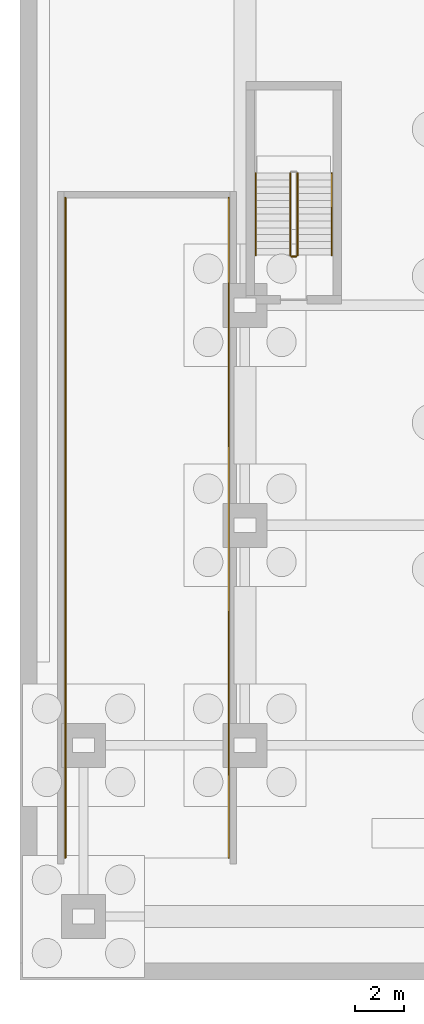
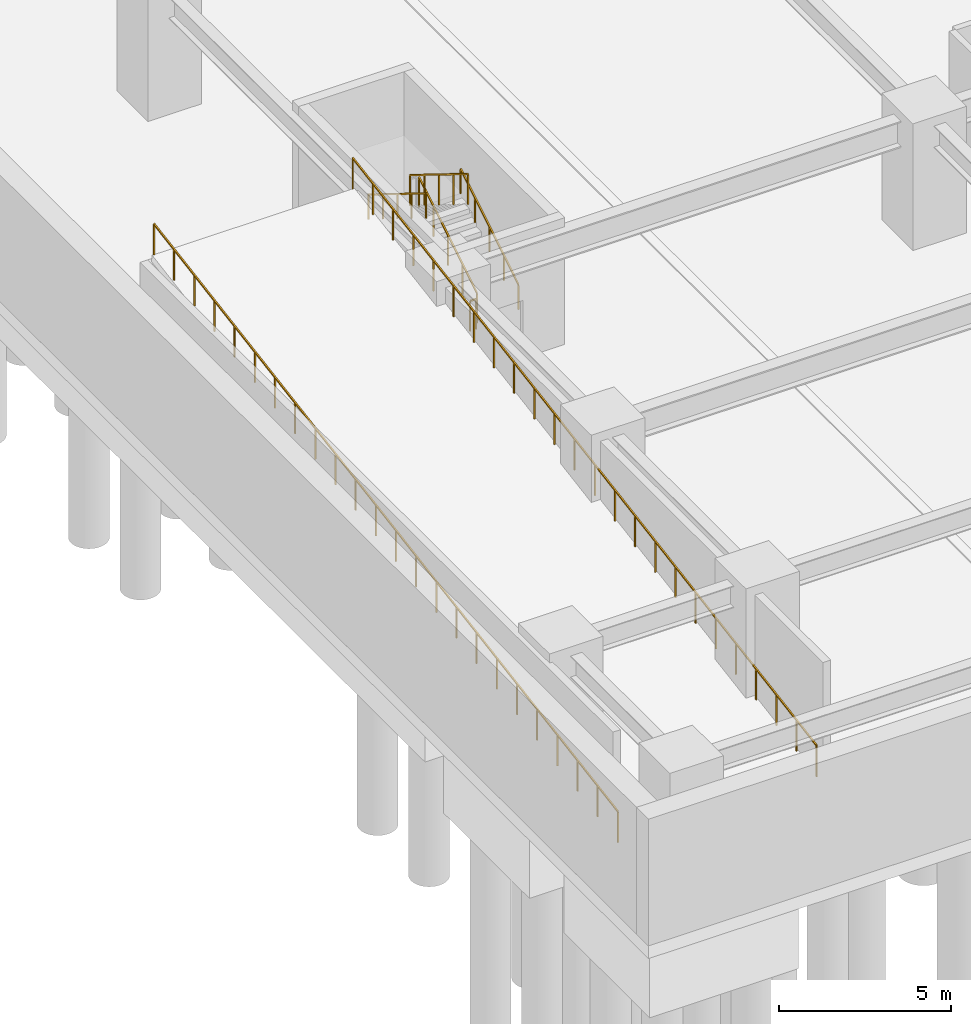
# One storey, part 15 of 23: 7 railings.
"""IFC4 building model written with IfcOpenShell, lengths in metres."""

from ifc_helpers import new_model, si_unit, direction, frame, origin, origin_2d, place, context, subcontext, project, spatial, rectangle, extrude, material, type_object, element, save


model = new_model("IFC4")

# Units and contexts
model_context = context("Model", 3, precision=1e-05, world=origin(), true_north=direction((0.0, 1.0)))
body_context = subcontext(model_context, "Body", "Model", "MODEL_VIEW")
ifc_project = project(units=[si_unit("LENGTHUNIT", "METRE"), si_unit("AREAUNIT", "SQUARE_METRE"), si_unit("VOLUMEUNIT", "CUBIC_METRE"), si_unit("PLANEANGLEUNIT", "RADIAN"), si_unit("MASSUNIT", "GRAM", prefix="KILO")], contexts=[model_context])

# Site, building, storey
site_placement = place(None, origin())
site = spatial("IfcSite", under=ifc_project, at=site_placement, CompositionType="ELEMENT")
building_placement = place(site_placement, origin())
building = spatial("IfcBuilding", under=site, at=building_placement, Name="Kiyonajd Concourse Tower", CompositionType="ELEMENT")
storey_placement = place(building_placement, frame((0.0, 0.0, -9.0)))
storey = spatial("IfcBuildingStorey", under=building, at=storey_placement, Name="B2", CompositionType="ELEMENT", Elevation=-9.0)

# Railings
ifc_material_1 = material(Name="Steel ASTM A500 Grade C", Category="steel")
railing_type_1 = type_object("IfcRailingType", Name="RL-GRD-STR", PredefinedType="GUARDRAIL", material=ifc_material_1)
railing_1_placement = place(storey_placement, frame((11.35009765625, 29.64990234375, 0.173095703125)))
element("IfcRailing", 1, at=railing_1_placement, inside=storey, type_object=railing_type_1, Name="B2 ST4 stair guard 1", PredefinedType="GUARDRAIL", context=body_context, shape_type="SweptSolid", body=[
    extrude(rectangle(XDim=0.048095703125, YDim=0.048095703125, at=origin_2d()), frame((0.0, 0.0, 1.076171875), z_axis=(0.0, 0.850623216509, 0.525775754039), x_axis=(-1.0, 0.0, 0.0)), (0.0, 0.0, 1.0), 3.9501953125),
    extrude(rectangle(XDim=0.0419921875, YDim=0.0419921875, at=origin_2d()), origin(), (0.0, 0.0, 1.0), 1.052001953125),
    extrude(rectangle(XDim=0.0419921875, YDim=0.0419921875, at=origin_2d()), frame((0.0, 0.840087890625, 0.519287109375)), (0.0, 0.0, 1.0), 1.052001953125),
    extrude(rectangle(XDim=0.0419921875, YDim=0.0419921875, at=origin_2d()), frame((0.0, 1.68017578125, 1.03857421875)), (0.0, 0.0, 1.0), 1.052001953125),
    extrude(rectangle(XDim=0.0419921875, YDim=0.0419921875, at=origin_2d()), frame((0.0, 2.52001953125, 1.5576171875)), (0.0, 0.0, 1.0), 1.052001953125),
    extrude(rectangle(XDim=0.0419921875, YDim=0.0419921875, at=origin_2d()), frame((0.0, 3.360107421875, 2.076904296875)), (0.0, 0.0, 1.0), 1.052001953125),
])
railing_2_placement = place(storey_placement, frame((11.050048828125, 33.010009765625, 2.423095703125)))
element("IfcRailing", 2, at=railing_2_placement, inside=storey, type_object=railing_type_1, Name="B2 ST4 stair guard 3", PredefinedType="GUARDRAIL", context=body_context, shape_type="SweptSolid", body=[
    extrude(rectangle(XDim=0.048095703125, YDim=0.048095703125, at=origin_2d()), frame((0.0, 0.0, 1.076171875), z_axis=(0.0, -0.850623216509, 0.525775754039), x_axis=(1.0, 0.0, 0.0)), (0.0, 0.0, 1.0), 3.9501953125),
    extrude(rectangle(XDim=0.0419921875, YDim=0.0419921875, at=origin_2d()), origin(), (0.0, 0.0, 1.0), 1.052001953125),
    extrude(rectangle(XDim=0.0419921875, YDim=0.0419921875, at=origin_2d()), frame((0.0, -0.840087890625, 0.519287109375)), (0.0, 0.0, 1.0), 1.052001953125),
    extrude(rectangle(XDim=0.0419921875, YDim=0.0419921875, at=origin_2d()), frame((0.0, -1.68017578125, 1.03857421875)), (0.0, 0.0, 1.0), 1.052001953125),
    extrude(rectangle(XDim=0.0419921875, YDim=0.0419921875, at=origin_2d()), frame((0.0, -2.52001953125, 1.5576171875)), (0.0, 0.0, 1.0), 1.052001953125),
    extrude(rectangle(XDim=0.0419921875, YDim=0.0419921875, at=origin_2d()), frame((0.0, -3.360107421875, 2.076904296875)), (0.0, 0.0, 1.0), 1.052001953125),
])
railing_3_placement = place(storey_placement, frame((11.300048828125, 29.60009765625, 0.0)))
element("IfcRailing", 3, at=railing_3_placement, inside=storey, type_object=railing_type_1, Name="B2 ST4 stair guard 4", PredefinedType="GUARDRAIL", context=body_context, shape_type="SweptSolid", body=[
    extrude(rectangle(XDim=0.048095703125, YDim=0.048095703125, at=origin_2d()), frame((0.0, 0.0, 1.076171875), z_axis=(-1.0, 0.0, 0.0), x_axis=(0.0, -1.0, 0.0)), (0.0, 0.0, 1.0), 0.199951171875),
    extrude(rectangle(XDim=0.0419921875, YDim=0.0419921875, at=origin_2d()), origin(), (0.0, 0.0, 1.0), 1.052001953125),
    extrude(rectangle(XDim=0.0419921875, YDim=0.0419921875, at=origin_2d()), frame((-0.199951171875, 0.0, 0.0)), (0.0, 0.0, 1.0), 1.052001953125),
])
railing_4_placement = place(storey_placement, frame((1.860107421875, 5.0, 0.0)))
element("IfcRailing", 4, at=railing_4_placement, inside=storey, type_object=railing_type_1, Name="B2 Vehicle Ramp W Safety Guard", PredefinedType="GUARDRAIL", context=body_context, shape_type="SweptSolid", body=[
    extrude(rectangle(XDim=0.048095703125, YDim=0.048095703125, at=origin_2d()), frame((0.0, 0.0, 1.09619140625), z_axis=(0.0, 0.986393923832, 0.164398987305), x_axis=(-1.0, 0.0, 0.0)), (0.0, 0.0, 1.0), 27.372314453125),
    extrude(rectangle(XDim=0.0419921875, YDim=0.0419921875, at=origin_2d()), origin(), (0.0, 0.0, 1.0), 1.072021484375),
    extrude(rectangle(XDim=0.0419921875, YDim=0.0419921875, at=origin_2d()), frame((0.0, 1.173828125, 0.195556640625)), (0.0, 0.0, 1.0), 1.072021484375),
    extrude(rectangle(XDim=0.0419921875, YDim=0.0419921875, at=origin_2d()), frame((0.0, 2.347900390625, 0.391357421875)), (0.0, 0.0, 1.0), 1.072021484375),
    extrude(rectangle(XDim=0.0419921875, YDim=0.0419921875, at=origin_2d()), frame((0.0, 3.521728515625, 0.5869140625)), (0.0, 0.0, 1.0), 1.072021484375),
    extrude(rectangle(XDim=0.0419921875, YDim=0.0419921875, at=origin_2d()), frame((0.0, 4.695556640625, 0.78271484375)), (0.0, 0.0, 1.0), 1.072021484375),
    extrude(rectangle(XDim=0.0419921875, YDim=0.0419921875, at=origin_2d()), frame((0.0, 5.86962890625, 0.978271484375)), (0.0, 0.0, 1.0), 1.072021484375),
    extrude(rectangle(XDim=0.0419921875, YDim=0.0419921875, at=origin_2d()), frame((0.0, 7.04345703125, 1.173828125)), (0.0, 0.0, 1.0), 1.072021484375),
    extrude(rectangle(XDim=0.0419921875, YDim=0.0419921875, at=origin_2d()), frame((0.0, 8.21728515625, 1.36962890625)), (0.0, 0.0, 1.0), 1.072021484375),
    extrude(rectangle(XDim=0.0419921875, YDim=0.0419921875, at=origin_2d()), frame((0.0, 9.391357421875, 1.565185546875)), (0.0, 0.0, 1.0), 1.072021484375),
    extrude(rectangle(XDim=0.0419921875, YDim=0.0419921875, at=origin_2d()), frame((0.0, 10.565185546875, 1.760986328125)), (0.0, 0.0, 1.0), 1.072021484375),
    extrude(rectangle(XDim=0.0419921875, YDim=0.0419921875, at=origin_2d()), frame((0.0, 11.739013671875, 1.95654296875)), (0.0, 0.0, 1.0), 1.072021484375),
    extrude(rectangle(XDim=0.0419921875, YDim=0.0419921875, at=origin_2d()), frame((0.0, 12.9130859375, 2.152099609375)), (0.0, 0.0, 1.0), 1.072021484375),
    extrude(rectangle(XDim=0.0419921875, YDim=0.0419921875, at=origin_2d()), frame((0.0, 14.0869140625, 2.347900390625)), (0.0, 0.0, 1.0), 1.072021484375),
    extrude(rectangle(XDim=0.0419921875, YDim=0.0419921875, at=origin_2d()), frame((0.0, 15.260986328125, 2.54345703125)), (0.0, 0.0, 1.0), 1.072021484375),
    extrude(rectangle(XDim=0.0419921875, YDim=0.0419921875, at=origin_2d()), frame((0.0, 16.434814453125, 2.739013671875)), (0.0, 0.0, 1.0), 1.072021484375),
    extrude(rectangle(XDim=0.0419921875, YDim=0.0419921875, at=origin_2d()), frame((0.0, 17.608642578125, 2.934814453125)), (0.0, 0.0, 1.0), 1.072021484375),
    extrude(rectangle(XDim=0.0419921875, YDim=0.0419921875, at=origin_2d()), frame((0.0, 18.78271484375, 3.13037109375)), (0.0, 0.0, 1.0), 1.072021484375),
    extrude(rectangle(XDim=0.0419921875, YDim=0.0419921875, at=origin_2d()), frame((0.0, 19.95654296875, 3.326171875)), (0.0, 0.0, 1.0), 1.072021484375),
    extrude(rectangle(XDim=0.0419921875, YDim=0.0419921875, at=origin_2d()), frame((0.0, 21.13037109375, 3.521728515625)), (0.0, 0.0, 1.0), 1.072021484375),
    extrude(rectangle(XDim=0.0419921875, YDim=0.0419921875, at=origin_2d()), frame((0.0, 22.304443359375, 3.71728515625)), (0.0, 0.0, 1.0), 1.072021484375),
    extrude(rectangle(XDim=0.0419921875, YDim=0.0419921875, at=origin_2d()), frame((0.0, 23.478271484375, 3.9130859375)), (0.0, 0.0, 1.0), 1.072021484375),
    extrude(rectangle(XDim=0.0419921875, YDim=0.0419921875, at=origin_2d()), frame((0.0, 24.652099609375, 4.108642578125)), (0.0, 0.0, 1.0), 1.072021484375),
    extrude(rectangle(XDim=0.0419921875, YDim=0.0419921875, at=origin_2d()), frame((0.0, 25.826171875, 4.304443359375)), (0.0, 0.0, 1.0), 1.072021484375),
    extrude(rectangle(XDim=0.0419921875, YDim=0.0419921875, at=origin_2d()), frame((0.0, 27.0, 4.5)), (0.0, 0.0, 1.0), 1.072021484375),
])
railing_5_placement = place(storey_placement, frame((8.5400390625, 5.0, 0.0)))
element("IfcRailing", 5, at=railing_5_placement, inside=storey, type_object=railing_type_1, Name="B2 Vehicle Ramp E Safety Guard", PredefinedType="GUARDRAIL", context=body_context, shape_type="SweptSolid", body=[
    extrude(rectangle(XDim=0.048095703125, YDim=0.048095703125, at=origin_2d()), frame((0.0, 0.0, 1.09619140625), z_axis=(0.0, 0.986393923832, 0.164398987305), x_axis=(-1.0, 0.0, 0.0)), (0.0, 0.0, 1.0), 27.372314453125),
    extrude(rectangle(XDim=0.0419921875, YDim=0.0419921875, at=origin_2d()), origin(), (0.0, 0.0, 1.0), 1.072021484375),
    extrude(rectangle(XDim=0.0419921875, YDim=0.0419921875, at=origin_2d()), frame((0.0, 1.173828125, 0.195556640625)), (0.0, 0.0, 1.0), 1.072021484375),
    extrude(rectangle(XDim=0.0419921875, YDim=0.0419921875, at=origin_2d()), frame((0.0, 2.347900390625, 0.391357421875)), (0.0, 0.0, 1.0), 1.072021484375),
    extrude(rectangle(XDim=0.0419921875, YDim=0.0419921875, at=origin_2d()), frame((0.0, 3.521728515625, 0.5869140625)), (0.0, 0.0, 1.0), 1.072021484375),
    extrude(rectangle(XDim=0.0419921875, YDim=0.0419921875, at=origin_2d()), frame((0.0, 4.695556640625, 0.78271484375)), (0.0, 0.0, 1.0), 1.072021484375),
    extrude(rectangle(XDim=0.0419921875, YDim=0.0419921875, at=origin_2d()), frame((0.0, 5.86962890625, 0.978271484375)), (0.0, 0.0, 1.0), 1.072021484375),
    extrude(rectangle(XDim=0.0419921875, YDim=0.0419921875, at=origin_2d()), frame((0.0, 7.04345703125, 1.173828125)), (0.0, 0.0, 1.0), 1.072021484375),
    extrude(rectangle(XDim=0.0419921875, YDim=0.0419921875, at=origin_2d()), frame((0.0, 8.21728515625, 1.36962890625)), (0.0, 0.0, 1.0), 1.072021484375),
    extrude(rectangle(XDim=0.0419921875, YDim=0.0419921875, at=origin_2d()), frame((0.0, 9.391357421875, 1.565185546875)), (0.0, 0.0, 1.0), 1.072021484375),
    extrude(rectangle(XDim=0.0419921875, YDim=0.0419921875, at=origin_2d()), frame((0.0, 10.565185546875, 1.760986328125)), (0.0, 0.0, 1.0), 1.072021484375),
    extrude(rectangle(XDim=0.0419921875, YDim=0.0419921875, at=origin_2d()), frame((0.0, 11.739013671875, 1.95654296875)), (0.0, 0.0, 1.0), 1.072021484375),
    extrude(rectangle(XDim=0.0419921875, YDim=0.0419921875, at=origin_2d()), frame((0.0, 12.9130859375, 2.152099609375)), (0.0, 0.0, 1.0), 1.072021484375),
    extrude(rectangle(XDim=0.0419921875, YDim=0.0419921875, at=origin_2d()), frame((0.0, 14.0869140625, 2.347900390625)), (0.0, 0.0, 1.0), 1.072021484375),
    extrude(rectangle(XDim=0.0419921875, YDim=0.0419921875, at=origin_2d()), frame((0.0, 15.260986328125, 2.54345703125)), (0.0, 0.0, 1.0), 1.072021484375),
    extrude(rectangle(XDim=0.0419921875, YDim=0.0419921875, at=origin_2d()), frame((0.0, 16.434814453125, 2.739013671875)), (0.0, 0.0, 1.0), 1.072021484375),
    extrude(rectangle(XDim=0.0419921875, YDim=0.0419921875, at=origin_2d()), frame((0.0, 17.608642578125, 2.934814453125)), (0.0, 0.0, 1.0), 1.072021484375),
    extrude(rectangle(XDim=0.0419921875, YDim=0.0419921875, at=origin_2d()), frame((0.0, 18.78271484375, 3.13037109375)), (0.0, 0.0, 1.0), 1.072021484375),
    extrude(rectangle(XDim=0.0419921875, YDim=0.0419921875, at=origin_2d()), frame((0.0, 19.95654296875, 3.326171875)), (0.0, 0.0, 1.0), 1.072021484375),
    extrude(rectangle(XDim=0.0419921875, YDim=0.0419921875, at=origin_2d()), frame((0.0, 21.13037109375, 3.521728515625)), (0.0, 0.0, 1.0), 1.072021484375),
    extrude(rectangle(XDim=0.0419921875, YDim=0.0419921875, at=origin_2d()), frame((0.0, 22.304443359375, 3.71728515625)), (0.0, 0.0, 1.0), 1.072021484375),
    extrude(rectangle(XDim=0.0419921875, YDim=0.0419921875, at=origin_2d()), frame((0.0, 23.478271484375, 3.9130859375)), (0.0, 0.0, 1.0), 1.072021484375),
    extrude(rectangle(XDim=0.0419921875, YDim=0.0419921875, at=origin_2d()), frame((0.0, 24.652099609375, 4.108642578125)), (0.0, 0.0, 1.0), 1.072021484375),
    extrude(rectangle(XDim=0.0419921875, YDim=0.0419921875, at=origin_2d()), frame((0.0, 25.826171875, 4.304443359375)), (0.0, 0.0, 1.0), 1.072021484375),
    extrude(rectangle(XDim=0.0419921875, YDim=0.0419921875, at=origin_2d()), frame((0.0, 27.0, 4.5)), (0.0, 0.0, 1.0), 1.072021484375),
])
ifc_material_2 = material(Name="Brushed Stainless Steel Cab Assembly", Category="steel")
railing_type_2 = type_object("IfcRailingType", Name="RL-HND-900", PredefinedType="HANDRAIL", material=ifc_material_2)
railing_6_placement = place(storey_placement, frame((12.75, 29.64990234375, 0.173095703125)))
element("IfcRailing", 6, at=railing_6_placement, inside=storey, type_object=railing_type_2, Name="B2 ST4 stair handrail 1", PredefinedType="HANDRAIL", context=body_context, shape_type="SweptSolid", body=[
    extrude(rectangle(XDim=0.048095703125, YDim=0.048095703125, at=origin_2d()), frame((0.0, 0.0, 0.8759765625), z_axis=(0.0, 0.850623216509, 0.525775754039), x_axis=(-1.0, 0.0, 0.0)), (0.0, 0.0, 1.0), 3.9501953125),
    extrude(rectangle(XDim=0.0419921875, YDim=0.0419921875, at=origin_2d()), origin(), (0.0, 0.0, 1.0), 0.851806640625),
    extrude(rectangle(XDim=0.0419921875, YDim=0.0419921875, at=origin_2d()), frame((0.0, 0.840087890625, 0.519287109375)), (0.0, 0.0, 1.0), 0.851806640625),
    extrude(rectangle(XDim=0.0419921875, YDim=0.0419921875, at=origin_2d()), frame((0.0, 1.68017578125, 1.03857421875)), (0.0, 0.0, 1.0), 0.851806640625),
    extrude(rectangle(XDim=0.0419921875, YDim=0.0419921875, at=origin_2d()), frame((0.0, 2.52001953125, 1.5576171875)), (0.0, 0.0, 1.0), 0.851806640625),
    extrude(rectangle(XDim=0.0419921875, YDim=0.0419921875, at=origin_2d()), frame((0.0, 3.360107421875, 2.076904296875)), (0.0, 0.0, 1.0), 0.851806640625),
])
railing_7_placement = place(storey_placement, frame((9.64990234375, 33.010009765625, 2.423095703125)))
element("IfcRailing", 7, at=railing_7_placement, inside=storey, type_object=railing_type_2, Name="B2 ST4 stair handrail 2", PredefinedType="HANDRAIL", context=body_context, shape_type="SweptSolid", body=[
    extrude(rectangle(XDim=0.048095703125, YDim=0.048095703125, at=origin_2d()), frame((0.0, 0.0, 0.8759765625), z_axis=(0.0, -0.850623216509, 0.525775754039), x_axis=(1.0, 0.0, 0.0)), (0.0, 0.0, 1.0), 3.9501953125),
    extrude(rectangle(XDim=0.0419921875, YDim=0.0419921875, at=origin_2d()), origin(), (0.0, 0.0, 1.0), 0.851806640625),
    extrude(rectangle(XDim=0.0419921875, YDim=0.0419921875, at=origin_2d()), frame((0.0, -0.840087890625, 0.519287109375)), (0.0, 0.0, 1.0), 0.851806640625),
    extrude(rectangle(XDim=0.0419921875, YDim=0.0419921875, at=origin_2d()), frame((0.0, -1.68017578125, 1.03857421875)), (0.0, 0.0, 1.0), 0.851806640625),
    extrude(rectangle(XDim=0.0419921875, YDim=0.0419921875, at=origin_2d()), frame((0.0, -2.52001953125, 1.5576171875)), (0.0, 0.0, 1.0), 0.851806640625),
    extrude(rectangle(XDim=0.0419921875, YDim=0.0419921875, at=origin_2d()), frame((0.0, -3.360107421875, 2.076904296875)), (0.0, 0.0, 1.0), 0.851806640625),
])

save(model, "model.ifc")
